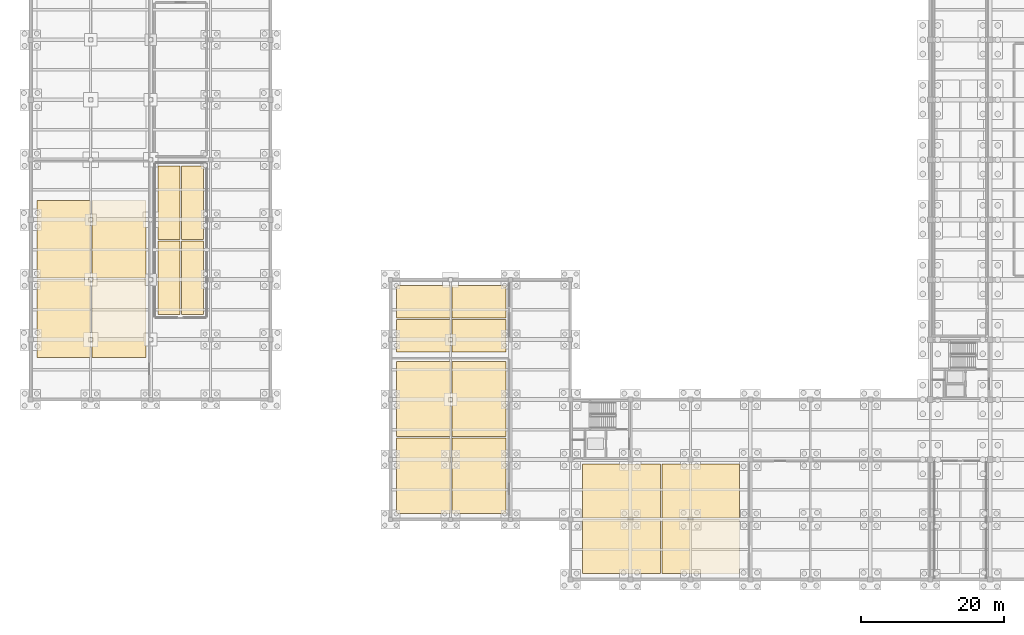
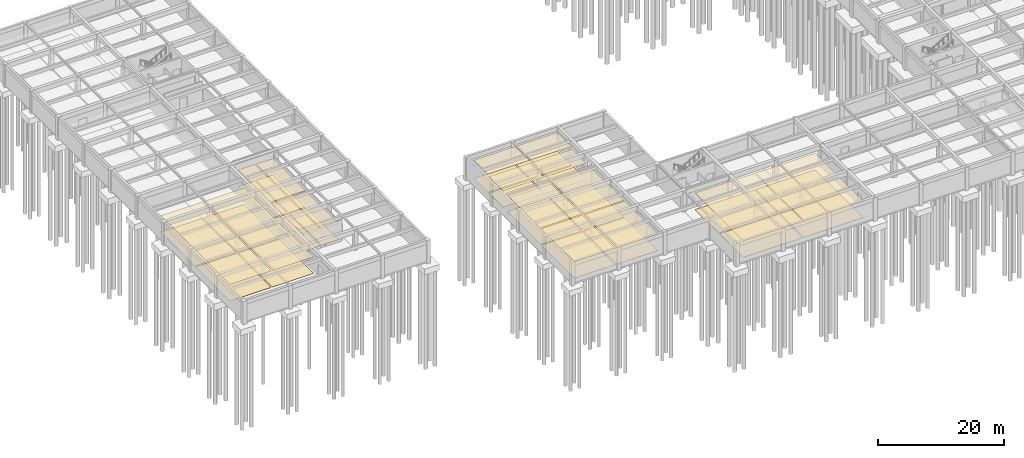
# One storey, part 25 of 33: 40 coverings.
"""IFC4 building model written with IfcOpenShell, lengths in metres."""

from ifc_helpers import new_model, si_unit, direction, frame, origin, origin_2d, place, context, subcontext, project, spatial, rectangle, extrude, material, layer, layer_set, type_object, element, save


model = new_model("IFC4")

# Units and contexts
model_context = context("Model", 3, precision=1e-05, world=origin(), true_north=direction((0.0, 1.0)))
body_context = subcontext(model_context, "Body", "Model", "MODEL_VIEW")
ifc_project = project(units=[si_unit("LENGTHUNIT", "METRE"), si_unit("AREAUNIT", "SQUARE_METRE"), si_unit("VOLUMEUNIT", "CUBIC_METRE"), si_unit("PLANEANGLEUNIT", "RADIAN"), si_unit("MASSUNIT", "GRAM", prefix="KILO")], contexts=[model_context])

# Site, building, storey
site_placement = place(None, origin())
site = spatial("IfcSite", under=ifc_project, at=site_placement, CompositionType="ELEMENT")
building_placement = place(site_placement, origin())
building = spatial("IfcBuilding", under=site, at=building_placement, Name="Kveldsbrygga Polytechnic", CompositionType="ELEMENT")
storey_placement = place(building_placement, frame((0.0, 0.0, -4.419921875)))
storey = spatial("IfcBuildingStorey", under=building, at=storey_placement, Name="B1", CompositionType="ELEMENT", Elevation=-4.419921875)

# Coverings
ifc_material_1 = material(Name="Acoustic mineral baffle ceiling")
ifc_layer_1 = layer(ifc_material_1, 0.030029296875)
ifc_layer_set_1 = layer_set([ifc_layer_1], Name="Acoustic mineral baffle ceiling")
covering_type_1 = type_object("IfcCoveringType", Name="COV-CEIL-AC30", PredefinedType="CEILING", material=ifc_layer_set_1)
for number, where, z_axis, x_axis, name in (
    (1, (4.625, 36.550048828125, 3.169921875), (0.0, 0.0, 1.0), (1.0, 0.0, 0.0), "Acoustic Ceiling SP-B1-TEST1-WS"),
    (2, (4.625, 47.64990234375, 3.169921875), (0.0, 0.0, 1.0), (1.0, 0.0, 0.0), "Acoustic Ceiling SP-B1-TEST1-WN"),
    (3, (12.375, 36.550048828125, 3.169921875), (0.0, 0.0, 1.0), (1.0, 0.0, 0.0), "Acoustic Ceiling SP-B1-TEST1-ES"),
    (4, (12.375, 47.64990234375, 3.169921875), (0.0, 0.0, 1.0), (1.0, 0.0, 0.0), "Acoustic Ceiling SP-B1-TEST1-EN"),
):
    element("IfcCovering", number, at=place(storey_placement, frame(where, z_axis=z_axis, x_axis=x_axis)), inside=storey, type_object=covering_type_1, Name=name, PredefinedType="CEILING", context=body_context, shape_type="SweptSolid", body=[
        extrude(rectangle(XDim=7.550048828125, YDim=10.89990234375, at=origin_2d()), origin(), (0.0, 0.0, 1.0), 0.030029296875),
    ])
for number, where, z_axis, x_axis, name in (
    (5, (55.02490234375, 14.52490234375, 3.18994140625), (0.0, 0.0, 1.0), (1.0, 0.0, 0.0), "Acoustic Ceiling SP-B1-CYCLE-WS"),
    (6, (55.02490234375, 25.27490234375, 3.18994140625), (0.0, 0.0, 1.0), (1.0, 0.0, 0.0), "Acoustic Ceiling SP-B1-CYCLE-WN"),
    (7, (62.77490234375, 14.52490234375, 3.18994140625), (0.0, 0.0, 1.0), (1.0, 0.0, 0.0), "Acoustic Ceiling SP-B1-CYCLE-ES"),
    (8, (62.77490234375, 25.27490234375, 3.18994140625), (0.0, 0.0, 1.0), (1.0, 0.0, 0.0), "Acoustic Ceiling SP-B1-CYCLE-EN"),
):
    element("IfcCovering", number, at=place(storey_placement, frame(where, z_axis=z_axis, x_axis=x_axis)), inside=storey, type_object=covering_type_1, Name=name, PredefinedType="CEILING", context=body_context, shape_type="SweptSolid", body=[
        extrude(rectangle(XDim=7.550048828125, YDim=10.550048828125, at=origin_2d()), origin(), (0.0, 0.0, 1.0), 0.030029296875),
    ])
for number, where, z_axis, x_axis, name in (
    (9, (82.75, 4.625, 3.2099609375), (0.0, 0.0, 1.0), (1.0, 0.0, 0.0), "Acoustic Ceiling SP-B1-KSTOR-WS"),
    (10, (82.75, 12.375, 3.2099609375), (0.0, 0.0, 1.0), (1.0, 0.0, 0.0), "Acoustic Ceiling SP-B1-KSTOR-WN"),
    (11, (93.85009765625, 4.625, 3.2099609375), (0.0, 0.0, 1.0), (1.0, 0.0, 0.0), "Acoustic Ceiling SP-B1-KSTOR-ES"),
    (12, (93.85009765625, 12.375, 3.2099609375), (0.0, 0.0, 1.0), (1.0, 0.0, 0.0), "Acoustic Ceiling SP-B1-KSTOR-EN"),
):
    element("IfcCovering", number, at=place(storey_placement, frame(where, z_axis=z_axis, x_axis=x_axis)), inside=storey, type_object=covering_type_1, Name=name, PredefinedType="CEILING", context=body_context, shape_type="SweptSolid", body=[
        extrude(rectangle(XDim=10.89990234375, YDim=7.550048828125, at=origin_2d()), origin(), (0.0, 0.0, 1.0), 0.030029296875),
    ])
ifc_material_2 = material(Name="Gypsum acoustic ceiling")
ifc_layer_2 = layer(ifc_material_2, 0.02001953125)
ifc_layer_set_2 = layer_set([ifc_layer_2], Name="Gypsum acoustic ceiling")
covering_type_2 = type_object("IfcCoveringType", Name="COV-CEIL-GY20", PredefinedType="CEILING", material=ifc_layer_set_2)
for number, where, z_axis, x_axis, name in (
    (13, (19.35009765625, 42.25, 3.179931640625), (0.0, 0.0, 1.0), (1.0, 0.0, 0.0), "Acoustic Ceiling SP-B1-SHWR1-WS"),
    (14, (19.35009765625, 52.75, 3.179931640625), (0.0, 0.0, 1.0), (1.0, 0.0, 0.0), "Acoustic Ceiling SP-B1-SHWR1-WN"),
    (15, (22.64990234375, 42.25, 3.179931640625), (0.0, 0.0, 1.0), (1.0, 0.0, 0.0), "Acoustic Ceiling SP-B1-SHWR1-ES"),
    (16, (22.64990234375, 52.75, 3.179931640625), (0.0, 0.0, 1.0), (1.0, 0.0, 0.0), "Acoustic Ceiling SP-B1-SHWR1-EN"),
):
    element("IfcCovering", number, at=place(storey_placement, frame(where, z_axis=z_axis, x_axis=x_axis)), inside=storey, type_object=covering_type_2, Name=name, PredefinedType="CEILING", context=body_context, shape_type="SweptSolid", body=[
        extrude(rectangle(XDim=3.10009765625, YDim=10.300048828125, at=origin_2d()), origin(), (0.0, 0.0, 1.0), 0.02001953125),
    ])
for number, where, z_axis, x_axis, name in (
    (17, (55.02490234375, 34.125, 3.199951171875), (0.0, 0.0, 1.0), (1.0, 0.0, 0.0), "Acoustic Ceiling SP-B1-CYCSHW-WS"),
    (18, (55.02490234375, 38.875, 3.52001953125), (0.0, 0.0, 1.0), (1.0, 0.0, 0.0), "Acoustic Ceiling SP-B1-CYCSHW-WN"),
    (19, (62.77490234375, 34.125, 3.199951171875), (0.0, 0.0, 1.0), (1.0, 0.0, 0.0), "Acoustic Ceiling SP-B1-CYCSHW-ES"),
    (20, (62.77490234375, 38.875, 3.52001953125), (0.0, 0.0, 1.0), (1.0, 0.0, 0.0), "Acoustic Ceiling SP-B1-CYCSHW-EN"),
):
    element("IfcCovering", number, at=place(storey_placement, frame(where, z_axis=z_axis, x_axis=x_axis)), inside=storey, type_object=covering_type_2, Name=name, PredefinedType="CEILING", context=body_context, shape_type="SweptSolid", body=[
        extrude(rectangle(XDim=7.550048828125, YDim=4.550048828125, at=origin_2d()), origin(), (0.0, 0.0, 1.0), 0.02001953125),
    ])
ifc_material_3 = material(Name="Heavy-duty quartz-filled epoxy resin flooring")
ifc_layer_3 = layer(ifc_material_3, 0.014892578125)
ifc_layer_set_3 = layer_set([ifc_layer_3], Name="Heavy-duty quartz-filled epoxy resin flooring")
covering_type_3 = type_object("IfcCoveringType", Name="COV-FLR-EPX15", PredefinedType="FLOORING", material=ifc_layer_set_3)
for number, where, z_axis, x_axis, name in (
    (21, (4.625, 36.550048828125, 0.0), (0.0, 0.0, 1.0), (1.0, 0.0, 0.0), "Room Flooring SP-B1-TEST1-WS"),
    (22, (4.625, 47.64990234375, 0.0), (0.0, 0.0, 1.0), (1.0, 0.0, 0.0), "Room Flooring SP-B1-TEST1-WN"),
    (23, (12.375, 36.550048828125, 0.0), (0.0, 0.0, 1.0), (1.0, 0.0, 0.0), "Room Flooring SP-B1-TEST1-ES"),
    (24, (12.375, 47.64990234375, 0.0), (0.0, 0.0, 1.0), (1.0, 0.0, 0.0), "Room Flooring SP-B1-TEST1-EN"),
):
    element("IfcCovering", number, at=place(storey_placement, frame(where, z_axis=z_axis, x_axis=x_axis)), inside=storey, type_object=covering_type_3, Name=name, PredefinedType="FLOORING", context=body_context, shape_type="SweptSolid", body=[
        extrude(rectangle(XDim=7.550048828125, YDim=10.89990234375, at=origin_2d()), origin(), (0.0, 0.0, 1.0), 0.014892578125),
    ])
ifc_material_4 = material(Name="Iddefjord granite honed paving", Category="masonry")
ifc_layer_4 = layer(ifc_material_4, 0.02490234375)
ifc_layer_set_4 = layer_set([ifc_layer_4], Name="Iddefjord granite honed paving")
covering_type_4 = type_object("IfcCoveringType", Name="COV-FLR-GRN25", PredefinedType="FLOORING", material=ifc_layer_set_4)
for number, where, z_axis, x_axis, name in (
    (25, (19.35009765625, 42.25, 0.0), (0.0, 0.0, 1.0), (1.0, 0.0, 0.0), "Room Flooring SP-B1-SHWR1-WS"),
    (26, (19.35009765625, 52.75, 0.0), (0.0, 0.0, 1.0), (1.0, 0.0, 0.0), "Room Flooring SP-B1-SHWR1-WN"),
    (27, (22.64990234375, 42.25, 0.0), (0.0, 0.0, 1.0), (1.0, 0.0, 0.0), "Room Flooring SP-B1-SHWR1-ES"),
    (28, (22.64990234375, 52.75, 0.0), (0.0, 0.0, 1.0), (1.0, 0.0, 0.0), "Room Flooring SP-B1-SHWR1-EN"),
):
    element("IfcCovering", number, at=place(storey_placement, frame(where, z_axis=z_axis, x_axis=x_axis)), inside=storey, type_object=covering_type_4, Name=name, PredefinedType="FLOORING", context=body_context, shape_type="SweptSolid", body=[
        extrude(rectangle(XDim=3.10009765625, YDim=10.300048828125, at=origin_2d()), origin(), (0.0, 0.0, 1.0), 0.02490234375),
    ])
for number, where, z_axis, x_axis, name in (
    (29, (55.02490234375, 34.125, 0.0), (0.0, 0.0, 1.0), (1.0, 0.0, 0.0), "Room Flooring SP-B1-CYCSHW-WS"),
    (30, (55.02490234375, 38.875, 0.0), (0.0, 0.0, 1.0), (1.0, 0.0, 0.0), "Room Flooring SP-B1-CYCSHW-WN"),
    (31, (62.77490234375, 34.125, 0.0), (0.0, 0.0, 1.0), (1.0, 0.0, 0.0), "Room Flooring SP-B1-CYCSHW-ES"),
    (32, (62.77490234375, 38.875, 0.0), (0.0, 0.0, 1.0), (1.0, 0.0, 0.0), "Room Flooring SP-B1-CYCSHW-EN"),
):
    element("IfcCovering", number, at=place(storey_placement, frame(where, z_axis=z_axis, x_axis=x_axis)), inside=storey, type_object=covering_type_4, Name=name, PredefinedType="FLOORING", context=body_context, shape_type="SweptSolid", body=[
        extrude(rectangle(XDim=7.550048828125, YDim=4.550048828125, at=origin_2d()), origin(), (0.0, 0.0, 1.0), 0.02490234375),
    ])
ifc_material_5 = material(Name="Acoustic oak timber flooring", Category="wood")
ifc_layer_5 = layer(ifc_material_5, 0.02197265625)
ifc_layer_set_5 = layer_set([ifc_layer_5], Name="Acoustic oak timber flooring")
covering_type_5 = type_object("IfcCoveringType", Name="COV-FLR-OAK22", PredefinedType="FLOORING", material=ifc_layer_set_5)
for number, where, z_axis, x_axis, name in (
    (33, (55.02490234375, 14.52490234375, 0.0), (0.0, 0.0, 1.0), (1.0, 0.0, 0.0), "Room Flooring SP-B1-CYCLE-WS"),
    (34, (55.02490234375, 25.27490234375, 0.0), (0.0, 0.0, 1.0), (1.0, 0.0, 0.0), "Room Flooring SP-B1-CYCLE-WN"),
    (35, (62.77490234375, 14.52490234375, 0.0), (0.0, 0.0, 1.0), (1.0, 0.0, 0.0), "Room Flooring SP-B1-CYCLE-ES"),
    (36, (62.77490234375, 25.27490234375, 0.0), (0.0, 0.0, 1.0), (1.0, 0.0, 0.0), "Room Flooring SP-B1-CYCLE-EN"),
):
    element("IfcCovering", number, at=place(storey_placement, frame(where, z_axis=z_axis, x_axis=x_axis)), inside=storey, type_object=covering_type_5, Name=name, PredefinedType="FLOORING", context=body_context, shape_type="SweptSolid", body=[
        extrude(rectangle(XDim=7.550048828125, YDim=10.550048828125, at=origin_2d()), origin(), (0.0, 0.0, 1.0), 0.02197265625),
    ])
for number, where, z_axis, x_axis, name in (
    (37, (82.75, 4.625, 0.0), (0.0, 0.0, 1.0), (1.0, 0.0, 0.0), "Room Flooring SP-B1-KSTOR-WS"),
    (38, (82.75, 12.375, 0.0), (0.0, 0.0, 1.0), (1.0, 0.0, 0.0), "Room Flooring SP-B1-KSTOR-WN"),
    (39, (93.85009765625, 4.625, 0.0), (0.0, 0.0, 1.0), (1.0, 0.0, 0.0), "Room Flooring SP-B1-KSTOR-ES"),
    (40, (93.85009765625, 12.375, 0.0), (0.0, 0.0, 1.0), (1.0, 0.0, 0.0), "Room Flooring SP-B1-KSTOR-EN"),
):
    element("IfcCovering", number, at=place(storey_placement, frame(where, z_axis=z_axis, x_axis=x_axis)), inside=storey, type_object=covering_type_5, Name=name, PredefinedType="FLOORING", context=body_context, shape_type="SweptSolid", body=[
        extrude(rectangle(XDim=10.89990234375, YDim=7.550048828125, at=origin_2d()), origin(), (0.0, 0.0, 1.0), 0.02197265625),
    ])

save(model, "model.ifc")
